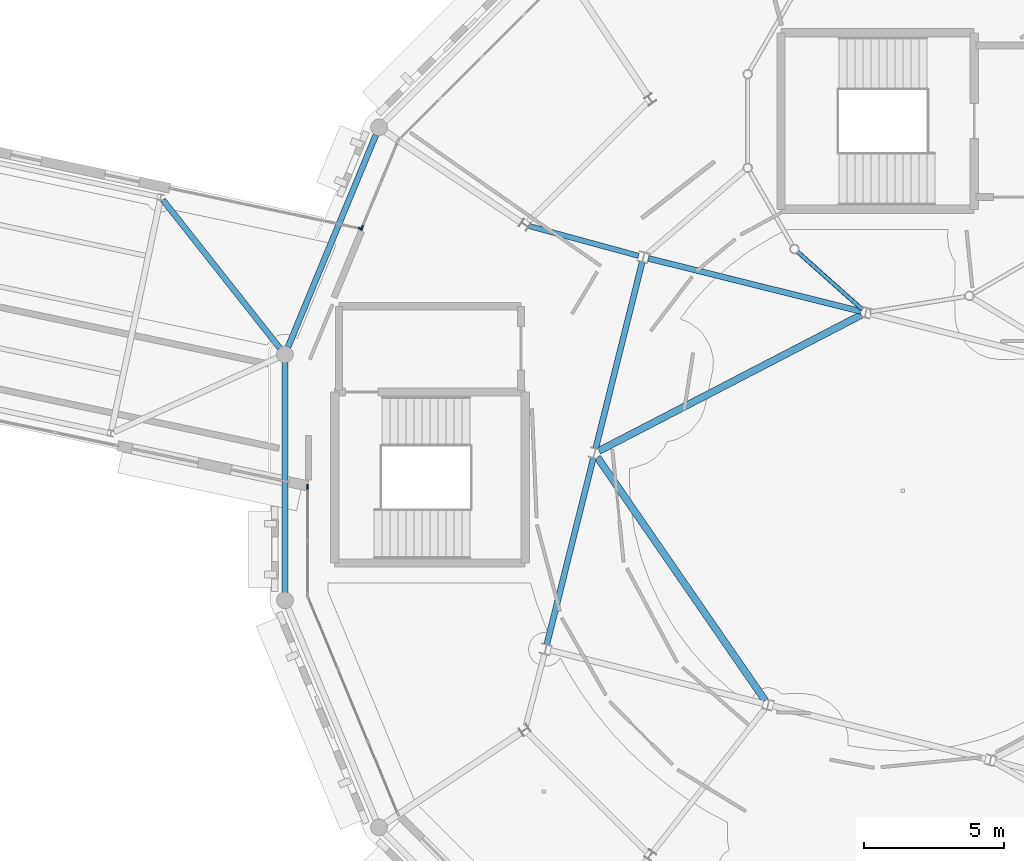
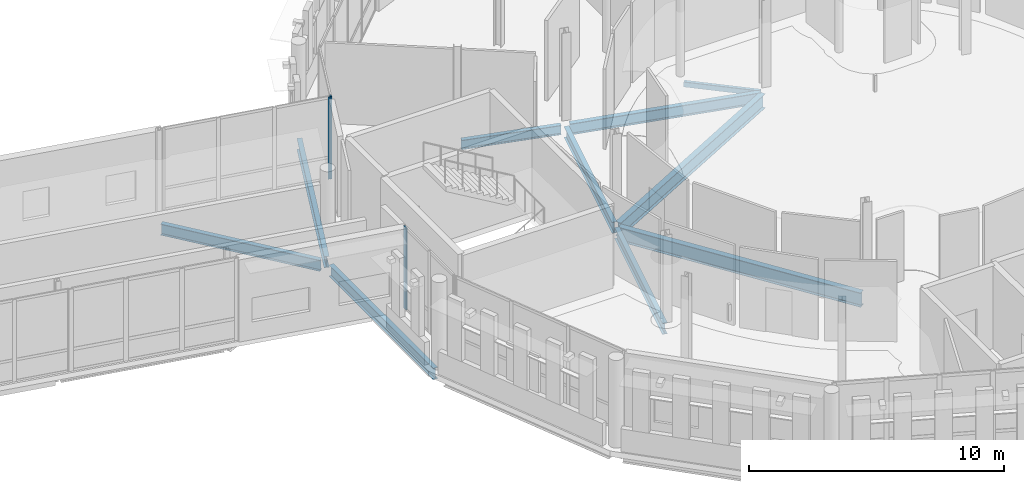
# One storey, part 56 of 125: 10 beams, 3 members, 3 elements without a shape of their own.
"""IFC4 building model written with IfcOpenShell, lengths in metres."""

from ifc_helpers import new_model, si_unit, direction, frame, origin, origin_2d, place, context, subcontext, project, spatial, rectangle, hollow_rectangle, i_section, extrude, material, material_profile, profile_set, type_object, element, aggregate, save


model = new_model("IFC4")

# Units and contexts
model_context = context("Model", 3, precision=1e-05, world=origin(), true_north=direction((0.0, 1.0)))
body_context = subcontext(model_context, "Body", "Model", "MODEL_VIEW")
ifc_project = project(units=[si_unit("LENGTHUNIT", "METRE"), si_unit("AREAUNIT", "SQUARE_METRE"), si_unit("VOLUMEUNIT", "CUBIC_METRE"), si_unit("PLANEANGLEUNIT", "RADIAN"), si_unit("MASSUNIT", "GRAM", prefix="KILO")], contexts=[model_context])

# Site, building, storey
site_placement = place(None, origin())
site = spatial("IfcSite", under=ifc_project, at=site_placement, CompositionType="ELEMENT")
building_placement = place(site_placement, origin())
building = spatial("IfcBuilding", under=site, at=building_placement, Name="Wrenclough Park School", CompositionType="ELEMENT")
storey_placement = place(building_placement, frame((0.0, 0.0, 4.199951171875)))
storey = spatial("IfcBuildingStorey", under=building, at=storey_placement, Name="L01", CompositionType="ELEMENT", Elevation=4.199951171875)

# Curtain wall, member
ifc_material_1 = material(Name="Thermally broken aluminium and low-e glass curtain wall", Category="aluminium")
curtain_wall_type_1 = type_object("IfcCurtainWallType", Name="ENV-CW-07", PredefinedType="USERDEFINED", material=ifc_material_1)
curtain_wall_1_placement = place(storey_placement, origin())
curtain_wall_1 = element("IfcCurtainWall", 1, at=curtain_wall_1_placement, inside=storey, type_object=curtain_wall_type_1, Name="L01 recessed curtain wall assembly 150", ObjectType="CURTAIN WALL", PredefinedType="USERDEFINED")
ifc_material_2 = material(Name="Thermally broken anodised aluminium", Category="aluminium")
ifc_material_profile_1 = material_profile(ifc_material_2, rectangle(XDim=0.06005859375, YDim=0.159912109375, at=origin_2d()), Name="AL MULLION 60x160")
ifc_profile_set_1 = profile_set([ifc_material_profile_1], Name="Thermally broken anodised aluminium")
member_type_1 = type_object("IfcMemberType", Name="ENV-CWM-1", PredefinedType="MULLION", material=ifc_profile_set_1)
member_1_placement = place(storey_placement, frame((136.17724609375, 35.367919921875, 0.0), z_axis=(0.0, 0.0, 1.0), x_axis=(0.206819986347, 0.978379013086, 0.0)))
member_1 = element("IfcMember", 2, at=member_1_placement, type_object=member_type_1, Name="CW-07 mullion 4", PredefinedType="MULLION", context=body_context, shape_type="SweptSolid", body=[
    extrude(rectangle(XDim=0.06005859375, YDim=0.159912109375, at=origin_2d()), origin(), (0.0, 0.0, 1.0), 3.93994140625),
])
aggregate(curtain_wall_1, [member_1])

curtain_wall_type_2 = type_object("IfcCurtainWallType", Name="ENV-CW-03", PredefinedType="USERDEFINED", material=ifc_material_1)
curtain_wall_2_placement = place(storey_placement, origin())
curtain_wall_2 = element("IfcCurtainWall", 3, at=curtain_wall_2_placement, inside=storey, type_object=curtain_wall_type_2, Name="L01 recessed curtain wall assembly 130", ObjectType="CURTAIN WALL", PredefinedType="USERDEFINED")
ifc_material_profile_2 = material_profile(ifc_material_2, rectangle(XDim=0.06494140625, YDim=0.179931640625, at=origin_2d()), Name="AL MULLION 65x180")
ifc_profile_set_2 = profile_set([ifc_material_profile_2], Name="Thermally broken anodised aluminium")
member_type_2 = type_object("IfcMemberType", Name="ENV-CWM-2", PredefinedType="MULLION", material=ifc_profile_set_2)
member_2_placement = place(storey_placement, frame((134.287841796875, 26.1640625, 0.0), z_axis=(0.0, 0.0, 1.0), x_axis=(-1.0, 0.0, 0.0)))
member_2 = element("IfcMember", 4, at=member_2_placement, type_object=member_type_2, Name="CW-03 mullion 3", PredefinedType="MULLION", context=body_context, shape_type="SweptSolid", body=[
    extrude(rectangle(XDim=0.06494140625, YDim=0.179931640625, at=origin_2d()), origin(), (0.0, 0.0, 1.0), 3.93994140625),
])
aggregate(curtain_wall_2, [member_2])

curtain_wall_type_3 = type_object("IfcCurtainWallType", Name="ENV-CW-08", PredefinedType="USERDEFINED", material=ifc_material_1)
curtain_wall_3_placement = place(storey_placement, origin())
curtain_wall_3 = element("IfcCurtainWall", 5, at=curtain_wall_3_placement, inside=storey, type_object=curtain_wall_type_3, Name="L01 recessed curtain wall assembly 151", ObjectType="CURTAIN WALL", PredefinedType="USERDEFINED")
member_3_placement = place(storey_placement, frame((136.224365234375, 35.39453125, 0.0), z_axis=(0.0, 0.0, 1.0), x_axis=(-0.923864415303, 0.382719926497, 0.0)))
member_3 = element("IfcMember", 6, at=member_3_placement, type_object=member_type_2, Name="CW-08 mullion 1", PredefinedType="MULLION", context=body_context, shape_type="SweptSolid", body=[
    extrude(rectangle(XDim=0.06494140625, YDim=0.179931640625, at=origin_2d()), origin(), (0.0, 0.0, 1.0), 3.93994140625),
])
aggregate(curtain_wall_3, [member_3])

# Beams
ifc_material_3 = material(Name="Structural steel S355", Category="steel")
ifc_material_profile_3 = material_profile(ifc_material_3, hollow_rectangle(XDim=0.14990234375, YDim=0.25, WallThickness=0.010009765625, InnerFilletRadius=0.010009765625, OuterFilletRadius=0.014892578125, at=origin_2d()), Name="RHS 250x150x10.0")
ifc_profile_set_3 = profile_set([ifc_material_profile_3], Name="Structural steel S355")
beam_type_1 = type_object("IfcBeamType", Name="STR-BM-RHS250", PredefinedType="SPANDREL", material=ifc_profile_set_3)
beam_1_placement = place(storey_placement, frame((151.755126953125, 34.53564453125, -0.389892578125), z_axis=(0.746429961072, -0.665463983409, 0.0), x_axis=(0.665463983409, 0.746429961072, 0.0)))
element("IfcBeam", 7, at=beam_1_placement, inside=storey, type_object=beam_type_1, Name="D1-SH L01 cylindrical ring beam 7", PredefinedType="SPANDREL", context=body_context, shape_type="SweptSolid", body=[
    extrude(hollow_rectangle(XDim=0.14990234375, YDim=0.25, WallThickness=0.010009765625, InnerFilletRadius=0.010009765625, OuterFilletRadius=0.014892578125, at=origin_2d()), origin(), (0.0, 0.0, 1.0), 3.069580078125),
])
ifc_material_profile_4 = material_profile(ifc_material_3, i_section(OverallWidth=0.18994140625, OverallDepth=0.453369140625, WebThickness=0.008544921875, FlangeThickness=0.0126953125, FilletRadius=0.01025390625, at=origin_2d()), Name="UKB 457x191x67")
ifc_profile_set_4 = profile_set([ifc_material_profile_4], Name="Structural steel S355")
beam_type_2 = type_object("IfcBeamType", Name="STR-BM-UKB457A", PredefinedType="BEAM", material=ifc_profile_set_4)
beam_2_placement = place(storey_placement, frame((146.0830078125, 34.396728515625, -0.49169921875), z_axis=(-0.964873814355, 0.262713765098, 0.0), x_axis=(-0.262713765098, -0.964873814355, 0.0)))
element("IfcBeam", 8, at=beam_2_placement, inside=storey, type_object=beam_type_2, Name="Primary frame continuity tie beam 0009", PredefinedType="BEAM", context=body_context, shape_type="SweptSolid", body=[
    extrude(i_section(OverallWidth=0.18994140625, OverallDepth=0.453369140625, WebThickness=0.008544921875, FlangeThickness=0.0126953125, FilletRadius=0.01025390625, at=origin_2d()), origin(), (0.0, 0.0, 1.0), 4.04345703125),
])
ifc_material_profile_5 = material_profile(ifc_material_3, i_section(OverallWidth=0.209228515625, OverallDepth=0.533203125, WebThickness=0.010009765625, FlangeThickness=0.015625, FilletRadius=0.0126953125, at=origin_2d()), Name="UKB 533x210x92")
ifc_profile_set_5 = profile_set([ifc_material_profile_5], Name="Structural steel S355")
beam_type_3 = type_object("IfcBeamType", Name="STR-BM-UKB533A", PredefinedType="BEAM", material=ifc_profile_set_5)
beam_3_placement = place(storey_placement, frame((142.815185546875, 20.55078125, -0.531494140625), z_axis=(0.241947905515, 0.970289240905, 0.0), x_axis=(-0.970289240905, 0.241947905515, 0.0)))
element("IfcBeam", 9, at=beam_3_placement, inside=storey, type_object=beam_type_3, Name="D1 L01 hall frame girder 0.1", PredefinedType="BEAM", context=body_context, shape_type="SweptSolid", body=[
    extrude(i_section(OverallWidth=0.209228515625, OverallDepth=0.533203125, WebThickness=0.010009765625, FlangeThickness=0.015625, FilletRadius=0.0126953125, at=origin_2d()), origin(), (0.0, 0.0, 1.0), 6.842529296875),
])
beam_4_placement = place(storey_placement, frame((144.55712890625, 27.537109375, -0.531494140625), z_axis=(0.241914313491, 0.970297616677, 0.0), x_axis=(-0.970297616677, 0.241914313491, 0.0)))
element("IfcBeam", 10, at=beam_4_placement, inside=storey, type_object=beam_type_3, Name="D1 L01 hall frame girder 1.2", PredefinedType="BEAM", context=body_context, shape_type="SweptSolid", body=[
    extrude(i_section(OverallWidth=0.209228515625, OverallDepth=0.533203125, WebThickness=0.010009765625, FlangeThickness=0.015625, FilletRadius=0.0126953125, at=origin_2d()), origin(), (0.0, 0.0, 1.0), 6.84228515625),
])
beam_5_placement = place(storey_placement, frame((146.42919921875, 34.306396484375, -0.531494140625), z_axis=(0.970296782276, -0.241917660177, 0.0), x_axis=(0.241917660177, 0.970296782276, 0.0)))
element("IfcBeam", 11, at=beam_5_placement, inside=storey, type_object=beam_type_3, Name="D1 L01 hall frame girder 2.4", PredefinedType="BEAM", context=body_context, shape_type="SweptSolid", body=[
    extrude(i_section(OverallWidth=0.209228515625, OverallDepth=0.533203125, WebThickness=0.010009765625, FlangeThickness=0.015625, FilletRadius=0.0126953125, at=origin_2d()), origin(), (0.0, 0.0, 1.0), 7.80908203125),
])
beam_6_placement = place(storey_placement, frame((129.131591796875, 36.388916015625, -0.531494140625), z_axis=(0.619684269817, -0.784851199745, 0.0), x_axis=(0.784851199745, 0.619684269817, 0.0)))
element("IfcBeam", 12, at=beam_6_placement, inside=storey, type_object=beam_type_3, Name="W12 L01 drum junction tie beam 5", PredefinedType="BEAM", context=body_context, shape_type="SweptSolid", body=[
    extrude(i_section(OverallWidth=0.209228515625, OverallDepth=0.533203125, WebThickness=0.010009765625, FlangeThickness=0.015625, FilletRadius=0.0126953125, at=origin_2d()), origin(), (0.0, 0.0, 1.0), 6.7314453125),
])
ifc_material_profile_6 = material_profile(ifc_material_3, i_section(OverallWidth=0.210693359375, OverallDepth=0.53955078125, WebThickness=0.01171875, FlangeThickness=0.018798828125, FilletRadius=0.0126953125, at=origin_2d()), Name="UKB 533x210x109")
ifc_profile_set_6 = profile_set([ifc_material_profile_6], Name="Structural steel S355")
beam_type_4 = type_object("IfcBeamType", Name="STR-BM-UKB533B", PredefinedType="SPANDREL", material=ifc_profile_set_6)
for number, where, z_axis, x_axis, name in (
    (13, (136.723388671875, 38.70654296875, -0.53466796875), (-0.382699586795, -0.923872840962, 0.0), (0.923872840962, -0.382699586795, 0.0), "D1 L01 outer ring spandrel beam 7"),
    (14, (133.4814453125, 30.591796875, -0.53466796875), (0.0, -1.0, 0.0), (1.0, 0.0, 0.0), "D1 L01 outer ring spandrel beam 8"),
):
    element("IfcBeam", number, at=place(storey_placement, frame(where, z_axis=z_axis, x_axis=x_axis)), inside=storey, type_object=beam_type_4, Name=name, PredefinedType="SPANDREL", context=body_context, shape_type="SweptSolid", body=[
        extrude(i_section(OverallWidth=0.210693359375, OverallDepth=0.53955078125, WebThickness=0.01171875, FlangeThickness=0.018798828125, FilletRadius=0.0126953125, at=origin_2d()), origin(), (0.0, 0.0, 1.0), 8.18359375),
    ])
ifc_material_profile_7 = material_profile(ifc_material_3, i_section(OverallWidth=0.253662109375, OverallDepth=0.68359375, WebThickness=0.012451171875, FlangeThickness=0.01904296875, FilletRadius=0.01513671875, at=origin_2d()), Name="UKB 686x254x140")
ifc_profile_set_7 = profile_set([ifc_material_profile_7], Name="Structural steel S355")
beam_type_5 = type_object("IfcBeamType", Name="STR-BM-UKB686", PredefinedType="BEAM", material=ifc_profile_set_7)
beam_7_placement = place(storey_placement, frame((144.615478515625, 27.21630859375, -0.606689453125), z_axis=(0.567825061004, -0.823149257483, 0.0), x_axis=(0.823149257483, 0.567825061004, 0.0)))
element("IfcBeam", 15, at=beam_7_placement, inside=storey, type_object=beam_type_5, Name="D1 L01 hall frame girder 1.3", PredefinedType="BEAM", context=body_context, shape_type="SweptSolid", body=[
    extrude(i_section(OverallWidth=0.253662109375, OverallDepth=0.68359375, WebThickness=0.012451171875, FlangeThickness=0.01904296875, FilletRadius=0.01513671875, at=origin_2d()), origin(), (0.0, 0.0, 1.0), 10.529541015625),
])
beam_8_placement = place(storey_placement, frame((144.672607421875, 27.44580078125, -0.606689453125), z_axis=(0.887807514522, 0.46021496842, 0.0), x_axis=(-0.46021496842, 0.887807514522, 0.0)))
element("IfcBeam", 16, at=beam_8_placement, inside=storey, type_object=beam_type_5, Name="D1 L01 hall frame girder 1.4", PredefinedType="BEAM", context=body_context, shape_type="SweptSolid", body=[
    extrude(i_section(OverallWidth=0.253662109375, OverallDepth=0.68359375, WebThickness=0.012451171875, FlangeThickness=0.01904296875, FilletRadius=0.01513671875, at=origin_2d()), origin(), (0.0, 0.0, 1.0), 10.52978515625),
])

save(model, "model.ifc")
